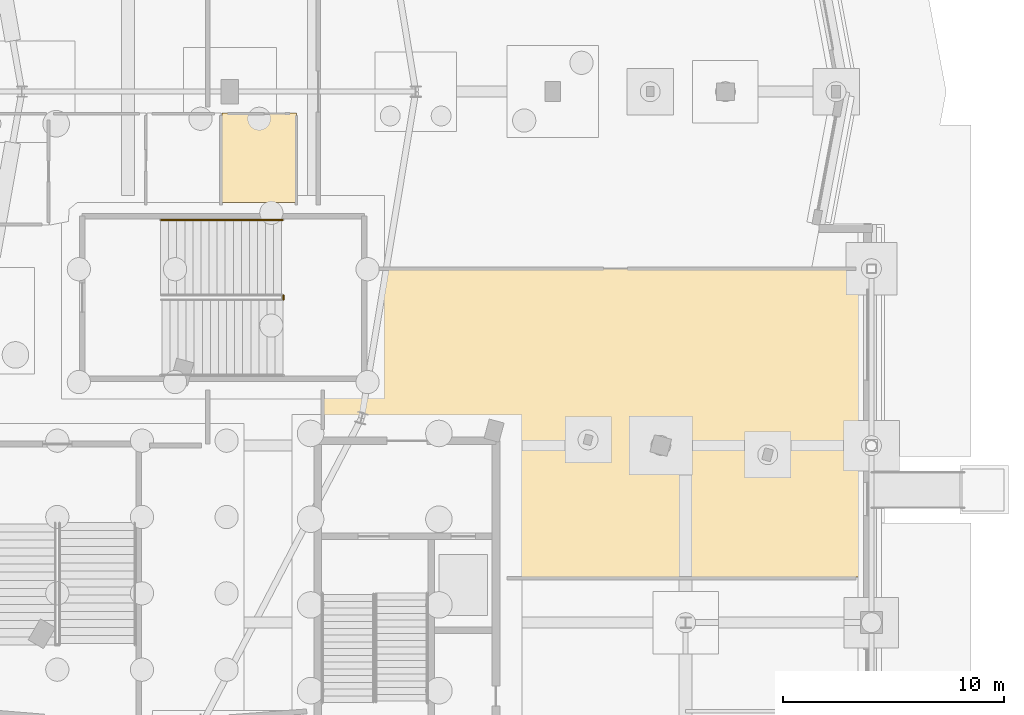
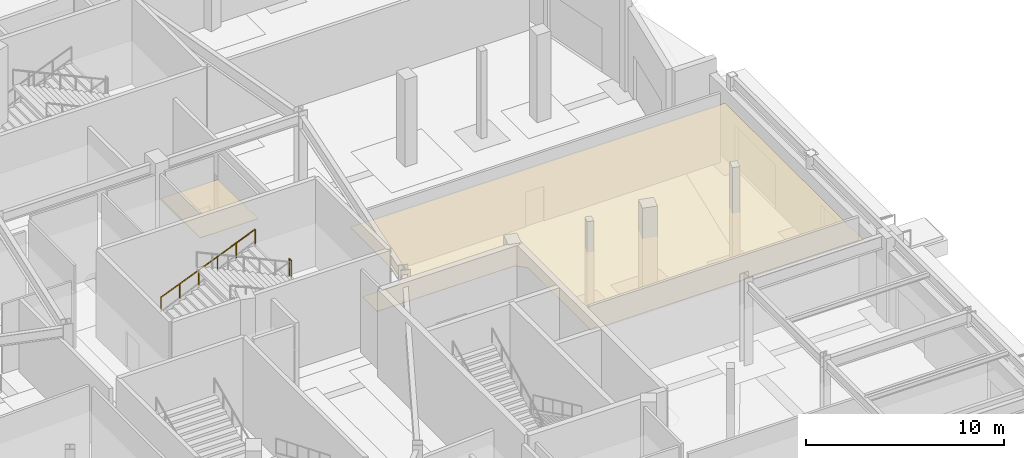
# One storey, part 87 of 93: 2 coverings, 2 railings.
"""IFC4 building model written with IfcOpenShell, lengths in metres."""

from ifc_helpers import new_model, si_unit, direction, frame, origin, origin_2d, place, context, subcontext, project, spatial, polyline, circle, outline, extrude, material, layer, layer_set, type_object, element, save


model = new_model("IFC4")

# Units and contexts
model_context = context("Model", 3, precision=1e-05, world=origin(), true_north=direction((0.0, 1.0)))
body_context = subcontext(model_context, "Body", "Model", "MODEL_VIEW")
ifc_project = project(units=[si_unit("LENGTHUNIT", "METRE"), si_unit("AREAUNIT", "SQUARE_METRE"), si_unit("VOLUMEUNIT", "CUBIC_METRE"), si_unit("PLANEANGLEUNIT", "RADIAN"), si_unit("MASSUNIT", "GRAM", prefix="KILO")], contexts=[model_context])

# Site, building, storey
site_placement = place(None, origin())
site = spatial("IfcSite", under=ifc_project, at=site_placement, CompositionType="ELEMENT")
building_placement = place(site_placement, origin())
building = spatial("IfcBuilding", under=site, at=building_placement, Name="Kalgoora Escarpment Arena", CompositionType="ELEMENT")
storey_placement = place(building_placement, origin())
storey = spatial("IfcBuildingStorey", under=building, at=storey_placement, Name="L00", CompositionType="ELEMENT", Elevation=0.0)

# Coverings
ifc_material_1 = material(Name="Perforated acoustic mineral-fibre ceiling tile")
ifc_layer = layer(ifc_material_1, 0.02490234375)
ifc_layer_set = layer_set([ifc_layer], Name="COV-CEIL-ACOUSTIC")
covering_type = type_object("IfcCoveringType", Name="COV-CEIL-ACOUSTIC", PredefinedType="CEILING", material=ifc_layer_set)
covering_1_placement = place(storey_placement, frame((0.0, 0.0, 3.47998046875)))
element("IfcCovering", 1, at=covering_1_placement, inside=storey, type_object=covering_type, Name="L00 Staff WC 2 acoustic suspended ceiling", PredefinedType="CEILING", context=body_context, shape_type="SweptSolid", body=[
    extrude(outline(polyline([(158.807861328125, 63.039306640625), (158.840087890625, 59.0), (155.43994140625, 59.0), (155.44921875, 63.025390625), (158.807861328125, 63.039306640625)])), origin(), (0.0, 0.0, 1.0), 0.02490234375),
])
covering_2_placement = place(storey_placement, frame((0.0, 0.0, 3.47998046875)))
element("IfcCovering", 2, at=covering_2_placement, inside=storey, type_object=covering_type, Name="L00 Sports Physiotherapy Suite acoustic suspended ceiling", PredefinedType="CEILING", context=body_context, shape_type="SweptSolid", body=[
    extrude(outline(polyline([(162.0, 50.39990234375), (162.49755859375, 50.85107421875), (162.5, 56.0400390625), (184.415283203125, 56.037109375), (184.43701171875, 42.064697265625), (168.5, 42.0400390625), (168.5, 48.39990234375), (168.0, 48.89990234375), (159.9599609375, 48.89990234375), (159.9599609375, 50.39990234375), (162.0, 50.39990234375)])), origin(), (0.0, 0.0, 1.0), 0.02490234375),
])

# Railings
ifc_material_2 = material(Name="Galvanised & powdercoated tubular steel", Category="steel")
railing_type_1 = type_object("IfcRailingType", Name="RAL-GUARD-1120", PredefinedType="GUARDRAIL", material=ifc_material_2)
railing_1_placement = place(storey_placement, frame((158.22509765625, 54.800048828125, 2.699951171875)))
element("IfcRailing", 3, at=railing_1_placement, inside=storey, type_object=railing_type_1, Name="ST22 L00 half-landing well guard", PredefinedType="GUARDRAIL", context=body_context, shape_type="SweptSolid", body=[
    extrude(circle(Radius=0.02392578125, at=origin_2d()), frame((0.0, 0.0, 1.09619140625), z_axis=(0.0, -1.0, 0.0), x_axis=(1.0, 0.0, 0.0)), (0.0, 0.0, 1.0), 0.199951171875),
    extrude(circle(Radius=0.02099609375, at=origin_2d()), origin(), (0.0, 0.0, 1.0), 1.072021484375),
    extrude(circle(Radius=0.02099609375, at=origin_2d()), frame((0.0, -0.199951171875, 0.0)), (0.0, 0.0, 1.0), 1.072021484375),
])
ifc_material_3 = material(Name="Brushed stainless steel 316 handrail", Category="steel")
railing_type_2 = type_object("IfcRailingType", Name="RAL-HAND-920", PredefinedType="HANDRAIL", material=ifc_material_3)
railing_2_placement = place(storey_placement, frame((152.68994140625, 58.199951171875, 0.388916015625)))
element("IfcRailing", 4, at=railing_2_placement, inside=storey, type_object=railing_type_2, Name="ST22 L00 pitched stair handrail F1L", PredefinedType="HANDRAIL", context=body_context, shape_type="SweptSolid", body=[
    extrude(circle(Radius=0.02392578125, at=origin_2d()), frame((0.0, 0.0, 0.89599609375), z_axis=(0.924430832969, 0.0, 0.381349754236), x_axis=(0.0, 1.0, 0.0)), (0.0, 0.0, 1.0), 5.955078125),
    extrude(circle(Radius=0.02099609375, at=origin_2d()), origin(), (0.0, 0.0, 1.0), 0.871826171875),
    extrude(circle(Radius=0.02099609375, at=origin_2d()), frame((1.10107421875, 0.0, 0.4541015625)), (0.0, 0.0, 1.0), 0.871826171875),
    extrude(circle(Radius=0.02099609375, at=origin_2d()), frame((2.2021484375, 0.0, 0.908447265625)), (0.0, 0.0, 1.0), 0.871826171875),
    extrude(circle(Radius=0.02099609375, at=origin_2d()), frame((3.302978515625, 0.0, 1.362548828125)), (0.0, 0.0, 1.0), 0.871826171875),
    extrude(circle(Radius=0.02099609375, at=origin_2d()), frame((4.404052734375, 0.0, 1.81689453125)), (0.0, 0.0, 1.0), 0.871826171875),
    extrude(circle(Radius=0.02099609375, at=origin_2d()), frame((5.505126953125, 0.0, 2.27099609375)), (0.0, 0.0, 1.0), 0.871826171875),
])

save(model, "model.ifc")
